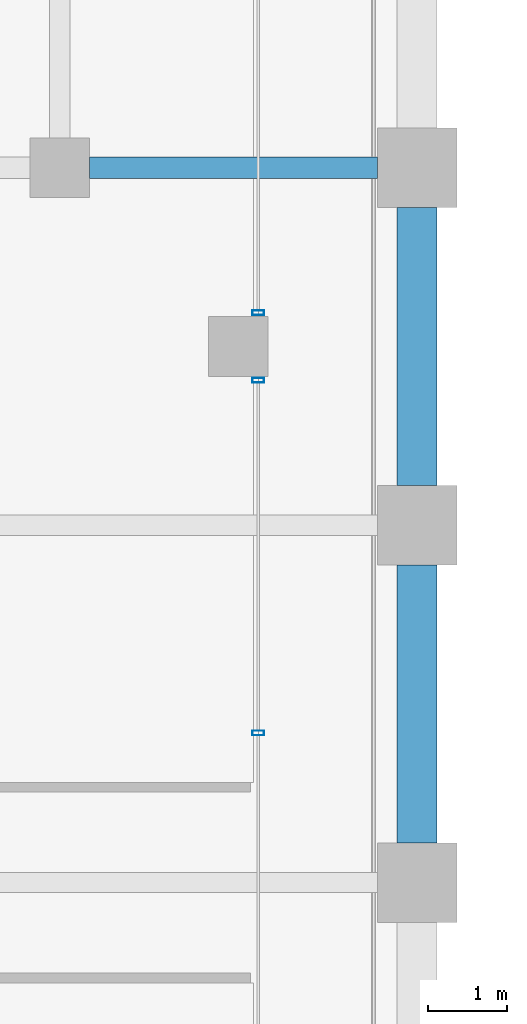
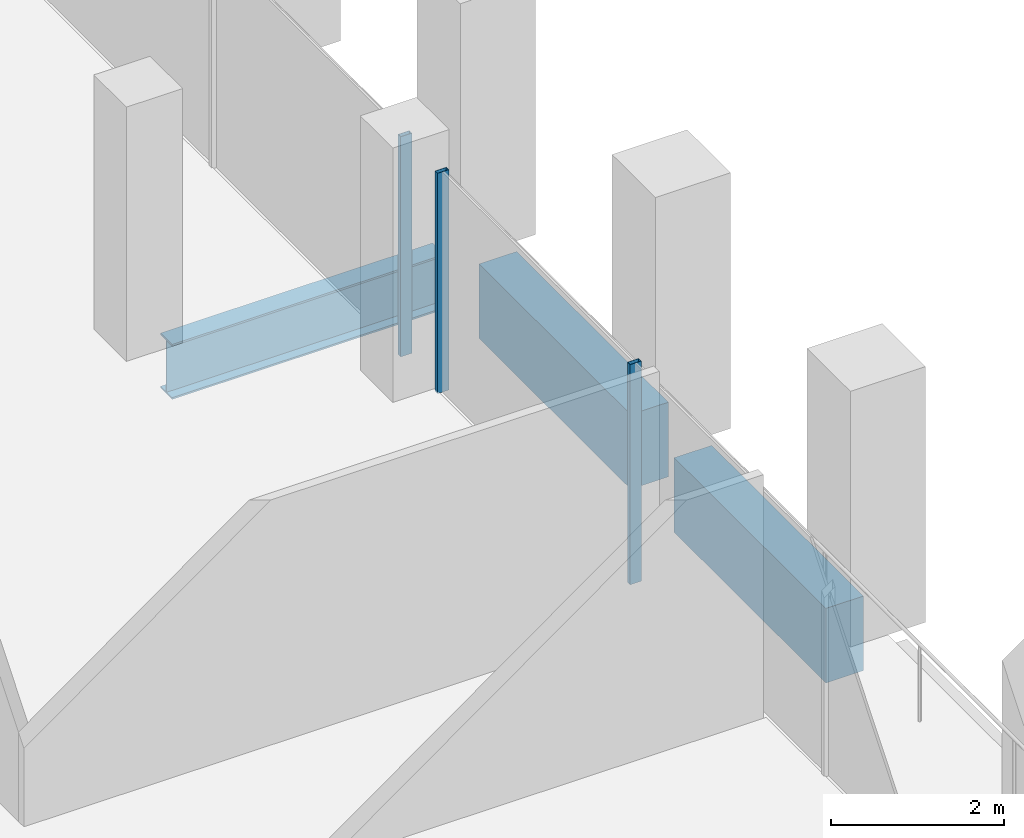
# One storey, part 19 of 46: 3 beams, 3 members, 2 elements without a shape of their own.
"""IFC4 building model written with IfcOpenShell, lengths in metres."""

from ifc_helpers import new_model, si_unit, direction, frame, origin, origin_2d, place, context, subcontext, project, spatial, rectangle, hollow_rectangle, i_section, extrude, material, material_profile, profile_set, type_object, element, aggregate, save


model = new_model("IFC4")

# Units and contexts
model_context = context("Model", 3, precision=1e-05, world=origin(), true_north=direction((0.0, 1.0)))
body_context = subcontext(model_context, "Body", "Model", "MODEL_VIEW")
ifc_project = project(units=[si_unit("LENGTHUNIT", "METRE"), si_unit("AREAUNIT", "SQUARE_METRE"), si_unit("VOLUMEUNIT", "CUBIC_METRE"), si_unit("PLANEANGLEUNIT", "RADIAN"), si_unit("MASSUNIT", "GRAM", prefix="KILO")], contexts=[model_context])

# Site, building, storey
site_placement = place(None, origin())
site = spatial("IfcSite", under=ifc_project, at=site_placement, CompositionType="ELEMENT")
building_placement = place(site_placement, origin())
building = spatial("IfcBuilding", under=site, at=building_placement, Name="Altepetl Exchange Towers", CompositionType="ELEMENT")
storey_placement = place(building_placement, frame((0.0, 0.0, 124.39990234375)))
storey = spatial("IfcBuildingStorey", under=building, at=storey_placement, Name="L30", CompositionType="ELEMENT", Elevation=124.39990234375)

# Beam
ifc_material_1 = material(Name="Steel S355", Category="steel")
ifc_material_profile_1 = material_profile(ifc_material_1, i_section(OverallWidth=0.26806640625, OverallDepth=0.77392578125, WebThickness=0.015380859375, FlangeThickness=0.025390625, at=origin_2d()), Name="W30X132")
ifc_profile_set_1 = profile_set([ifc_material_profile_1], Name="Steel S355")
beam_type_1 = type_object("IfcBeamType", Name="Girder W30X132", PredefinedType="BEAM", material=ifc_profile_set_1)
beam_placement = place(storey_placement, frame((67.875, 58.5, -0.536865234375), z_axis=(1.0, 0.0, 0.0), x_axis=(0.0, 1.0, 0.0)))
element("IfcBeam", 1, at=beam_placement, inside=storey, type_object=beam_type_1, Name="gd:A:L30:002", PredefinedType="BEAM", context=body_context, shape_type="SweptSolid", body=[
    extrude(i_section(OverallWidth=0.26806640625, OverallDepth=0.77392578125, WebThickness=0.015380859375, FlangeThickness=0.025390625, at=origin_2d()), origin(), (0.0, 0.0, 1.0), 3.625),
])

# Curtain wall, members
ifc_material_2 = material(Name="Aluminium 6063-T6 glazing", Category="aluminium")
curtain_wall_type = type_object("IfcCurtainWallType", Name="Loggia glazing system", PredefinedType="NOTDEFINED", material=ifc_material_2)
curtain_wall_1_placement = place(storey_placement, origin())
curtain_wall_1 = element("IfcCurtainWall", 2, at=curtain_wall_1_placement, inside=storey, type_object=curtain_wall_type, Name="CW1 run", PredefinedType="NOTDEFINED")
ifc_material_3 = material(Name="Aluminium 6063-T6", Category="aluminium")
ifc_material_profile_2 = material_profile(ifc_material_3, hollow_rectangle(XDim=0.06005859375, YDim=0.14990234375, WallThickness=0.0029296875, at=origin_2d()), Name="Mullion 60x150 aluminium")
ifc_profile_set_2 = profile_set([ifc_material_profile_2], Name="Aluminium 6063-T6")
member_type = type_object("IfcMemberType", Name="Mullion 60x150 aluminium", PredefinedType="MULLION", material=ifc_profile_set_2)
member_1_placement = place(storey_placement, frame((70.0, 51.384033203125, 0.0), z_axis=(0.0, 0.0, 1.0), x_axis=(0.0, 1.0, 0.0)))
member_1 = element("IfcMember", 3, at=member_1_placement, type_object=member_type, Name="MU1 mullion", PredefinedType="MULLION", context=body_context, shape_type="SweptSolid", body=[
    extrude(hollow_rectangle(XDim=0.06005859375, YDim=0.14990234375, WallThickness=0.0029296875, at=origin_2d()), origin(), (0.0, 0.0, 1.0), 3.10009765625),
])
member_2_placement = place(storey_placement, frame((70.0, 55.824951171875, 0.0), z_axis=(0.0, 0.0, 1.0), x_axis=(0.0, 1.0, 0.0)))
member_2 = element("IfcMember", 4, at=member_2_placement, type_object=member_type, Name="MU1 mullion", PredefinedType="MULLION", context=body_context, shape_type="SweptSolid", body=[
    extrude(hollow_rectangle(XDim=0.06005859375, YDim=0.14990234375, WallThickness=0.0029296875, at=origin_2d()), origin(), (0.0, 0.0, 1.0), 3.10009765625),
])
aggregate(curtain_wall_1, [member_1, member_2])

# Curtain wall, member
curtain_wall_2_placement = place(storey_placement, origin())
curtain_wall_2 = element("IfcCurtainWall", 5, at=curtain_wall_2_placement, inside=storey, type_object=curtain_wall_type, Name="CW1 run", PredefinedType="NOTDEFINED")
member_3_placement = place(storey_placement, frame((70.0, 56.675048828125, 0.0), z_axis=(0.0, 0.0, 1.0), x_axis=(0.0, 1.0, 0.0)))
member_3 = element("IfcMember", 6, at=member_3_placement, type_object=member_type, Name="MU1 mullion", PredefinedType="MULLION", context=body_context, shape_type="SweptSolid", body=[
    extrude(hollow_rectangle(XDim=0.06005859375, YDim=0.14990234375, WallThickness=0.0029296875, at=origin_2d()), origin(), (0.0, 0.0, 1.0), 3.10009765625),
])
aggregate(curtain_wall_2, [member_3])

# Beams
ifc_material_4 = material(Name="Concrete C50/60 precast with cantera amarilla facing", Category="concrete")
ifc_material_profile_3 = material_profile(ifc_material_4, rectangle(XDim=0.5, YDim=1.050048828125, at=origin_2d()), Name="500 x 1050")
ifc_profile_set_3 = profile_set([ifc_material_profile_3], Name="Concrete C50/60 precast with cantera amarilla facing")
beam_type_2 = type_object("IfcBeamType", Name="Spandrel beam 500x1050 cantera amarilla", PredefinedType="SPANDREL", material=ifc_profile_set_3)
for number, where, z_axis, x_axis, name in (
    (7, (72.0, 50.0, -0.6748046875), (0.0, 1.0, 0.0), (-1.0, 0.0, 0.0), "sp:A:L30:016"),
    (8, (72.0, 54.5, -0.6748046875), (0.0, 1.0, 0.0), (-1.0, 0.0, 0.0), "sp:A:L30:017"),
):
    element("IfcBeam", number, at=place(storey_placement, frame(where, z_axis=z_axis, x_axis=x_axis)), inside=storey, type_object=beam_type_2, Name=name, PredefinedType="SPANDREL", context=body_context, shape_type="SweptSolid", body=[
        extrude(rectangle(XDim=0.5, YDim=1.050048828125, at=origin_2d()), origin(), (0.0, 0.0, 1.0), 3.5),
    ])

save(model, "model.ifc")
